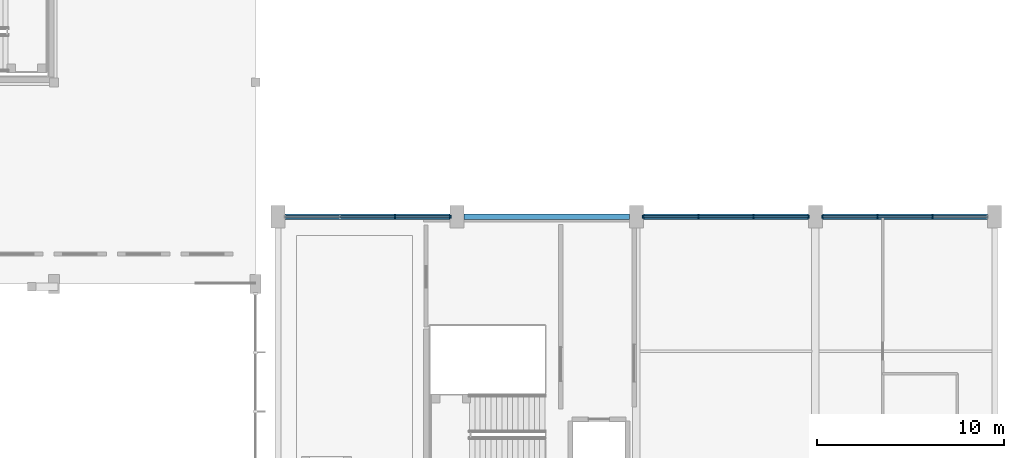
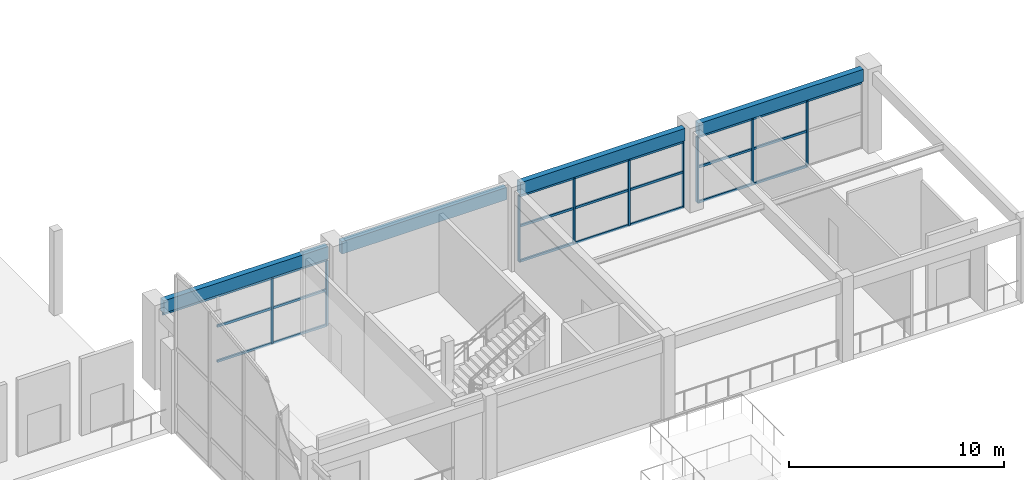
# One storey, part 36 of 74: 26 members, 4 beams, 3 elements without a shape of their own.
"""IFC4 building model written with IfcOpenShell, lengths in metres."""

from ifc_helpers import new_model, si_unit, direction, frame, origin, origin_2d, place, context, subcontext, project, spatial, rectangle, extrude, material, material_profile, profile_set, type_object, element, aggregate, save


model = new_model("IFC4")

# Units and contexts
model_context = context("Model", 3, precision=1e-05, world=origin(), true_north=direction((0.0, 1.0)))
body_context = subcontext(model_context, "Body", "Model", "MODEL_VIEW")
ifc_project = project(units=[si_unit("LENGTHUNIT", "METRE"), si_unit("AREAUNIT", "SQUARE_METRE"), si_unit("VOLUMEUNIT", "CUBIC_METRE"), si_unit("PLANEANGLEUNIT", "RADIAN"), si_unit("MASSUNIT", "GRAM", prefix="KILO")], contexts=[model_context])

# Site, building, storey
site_placement = place(None, origin())
site = spatial("IfcSite", under=ifc_project, at=site_placement, CompositionType="ELEMENT")
building_placement = place(site_placement, origin())
building = spatial("IfcBuilding", under=site, at=building_placement, Name="Suirenkawa Promenade Aquatics Centre", CompositionType="ELEMENT")
storey_placement = place(building_placement, frame((0.0, 0.0, 4.800048828125)))
storey = spatial("IfcBuildingStorey", under=building, at=storey_placement, Name="L01", CompositionType="ELEMENT", Elevation=4.800048828125)

# Beams
ifc_material_1 = material(Name="Concrete M40", Category="concrete")
ifc_material_profile_1 = material_profile(ifc_material_1, rectangle(XDim=0.300048828125, YDim=0.699951171875, at=origin_2d()), Name="RC SPANDREL 300x700", Category="concrete")
ifc_profile_set_1 = profile_set([ifc_material_profile_1], Name="Concrete M40")
beam_type = type_object("IfcBeamType", Name="BT-SPANDREL-300x700", PredefinedType="SPANDREL", material=ifc_profile_set_1)
for number, where, z_axis, x_axis, name in (
    (1, (156.368896484375, 100.800048828125, 4.199951171875), (1.0, 0.0, 0.0), (0.0, 1.0, 0.0), "Floor beam SP-01 BM-1411"),
    (2, (165.968994140625, 100.800048828125, 4.199951171875), (1.0, 0.0, 0.0), (0.0, 1.0, 0.0), "Floor beam SP-01 BM-1412"),
):
    element("IfcBeam", number, at=place(storey_placement, frame(where, z_axis=z_axis, x_axis=x_axis)), inside=storey, type_object=beam_type, Name=name, PredefinedType="SPANDREL", context=body_context, shape_type="SweptSolid", body=[
        extrude(rectangle(XDim=0.300048828125, YDim=0.699951171875, at=origin_2d()), origin(), (0.0, 0.0, 1.0), 8.862060546875),
    ])
beam_1_placement = place(storey_placement, frame((175.569091796875, 100.800048828125, 4.199951171875), z_axis=(1.0, 0.0, 0.0), x_axis=(0.0, 1.0, 0.0)))
element("IfcBeam", 3, at=beam_1_placement, inside=storey, type_object=beam_type, Name="Floor beam SP-01 BM-1413", PredefinedType="SPANDREL", context=body_context, shape_type="SweptSolid", body=[
    extrude(rectangle(XDim=0.300048828125, YDim=0.699951171875, at=origin_2d()), origin(), (0.0, 0.0, 1.0), 8.86181640625),
])
beam_2_placement = place(storey_placement, frame((185.1689453125, 100.800048828125, 4.199951171875), z_axis=(1.0, 0.0, 0.0), x_axis=(0.0, 1.0, 0.0)))
element("IfcBeam", 4, at=beam_2_placement, inside=storey, type_object=beam_type, Name="Floor beam SP-01 BM-1414", PredefinedType="SPANDREL", context=body_context, shape_type="SweptSolid", body=[
    extrude(rectangle(XDim=0.300048828125, YDim=0.699951171875, at=origin_2d()), origin(), (0.0, 0.0, 1.0), 8.862060546875),
])

# Curtain wall, members
ifc_material_2 = material(Name="Anodised aluminium 6063-T6", Category="aluminium")
curtain_wall_type = type_object("IfcCurtainWallType", Name="CWAT-V2GL01-18", PredefinedType="NOTDEFINED", material=ifc_material_2)
curtain_wall_1_placement = place(storey_placement, origin())
curtain_wall_1 = element("IfcCurtainWall", 5, at=curtain_wall_1_placement, inside=storey, type_object=curtain_wall_type, Name="Curtain wall CWA-18 CW-037", PredefinedType="NOTDEFINED")
ifc_material_profile_2 = material_profile(ifc_material_2, rectangle(XDim=0.090087890625, YDim=0.159912109375, at=origin_2d()), Name="ALU MULL 90x160", Category="aluminium")
ifc_profile_set_2 = profile_set([ifc_material_profile_2], Name="Anodised aluminium 6063-T6")
member_type_1 = type_object("IfcMemberType", Name="CWM-160x90", PredefinedType="MULLION", material=ifc_profile_set_2)
member_1_placement = place(storey_placement, frame((162.275390625, 100.800048828125, 0.0), z_axis=(0.0, 0.0, 1.0), x_axis=(1.0, 0.0, 0.0)))
member_1 = element("IfcMember", 6, at=member_1_placement, type_object=member_type_1, Name="Mullion ML-03 CWM-00763", PredefinedType="MULLION", context=body_context, shape_type="SweptSolid", body=[
    extrude(rectangle(XDim=0.090087890625, YDim=0.159912109375, at=origin_2d()), origin(), (0.0, 0.0, 1.0), 3.719970703125),
])
member_2_placement = place(storey_placement, frame((165.22607421875, 100.800048828125, 0.0), z_axis=(0.0, 0.0, 1.0), x_axis=(1.0, 0.0, 0.0)))
member_2 = element("IfcMember", 7, at=member_2_placement, type_object=member_type_1, Name="Mullion ML-03 CWM-00764", PredefinedType="MULLION", context=body_context, shape_type="SweptSolid", body=[
    extrude(rectangle(XDim=0.090087890625, YDim=0.159912109375, at=origin_2d()), origin(), (0.0, 0.0, 1.0), 3.719970703125),
])

curtain_wall_2_placement = place(storey_placement, origin())
curtain_wall_2 = element("IfcCurtainWall", 8, at=curtain_wall_2_placement, inside=storey, type_object=curtain_wall_type, Name="Curtain wall CWA-18 CW-043", PredefinedType="NOTDEFINED")
member_3_placement = place(storey_placement, frame((175.573974609375, 100.800048828125, 0.0), z_axis=(0.0, 0.0, 1.0), x_axis=(1.0, 0.0, 0.0)))
member_3 = element("IfcMember", 9, at=member_3_placement, type_object=member_type_1, Name="Mullion ML-03 CWM-00883", PredefinedType="MULLION", context=body_context, shape_type="SweptSolid", body=[
    extrude(rectangle(XDim=0.090087890625, YDim=0.159912109375, at=origin_2d()), origin(), (0.0, 0.0, 1.0), 3.719970703125),
])
member_4_placement = place(storey_placement, frame((178.524658203125, 100.800048828125, 0.0), z_axis=(0.0, 0.0, 1.0), x_axis=(1.0, 0.0, 0.0)))
member_4 = element("IfcMember", 10, at=member_4_placement, type_object=member_type_1, Name="Mullion ML-03 CWM-00884", PredefinedType="MULLION", context=body_context, shape_type="SweptSolid", body=[
    extrude(rectangle(XDim=0.090087890625, YDim=0.159912109375, at=origin_2d()), origin(), (0.0, 0.0, 1.0), 3.719970703125),
])
member_5_placement = place(storey_placement, frame((181.475341796875, 100.800048828125, 0.0), z_axis=(0.0, 0.0, 1.0), x_axis=(1.0, 0.0, 0.0)))
member_5 = element("IfcMember", 11, at=member_5_placement, type_object=member_type_1, Name="Mullion ML-03 CWM-00885", PredefinedType="MULLION", context=body_context, shape_type="SweptSolid", body=[
    extrude(rectangle(XDim=0.090087890625, YDim=0.159912109375, at=origin_2d()), origin(), (0.0, 0.0, 1.0), 3.719970703125),
])
member_6_placement = place(storey_placement, frame((184.426025390625, 100.800048828125, 0.0), z_axis=(0.0, 0.0, 1.0), x_axis=(1.0, 0.0, 0.0)))
member_6 = element("IfcMember", 12, at=member_6_placement, type_object=member_type_1, Name="Mullion ML-03 CWM-00886", PredefinedType="MULLION", context=body_context, shape_type="SweptSolid", body=[
    extrude(rectangle(XDim=0.090087890625, YDim=0.159912109375, at=origin_2d()), origin(), (0.0, 0.0, 1.0), 3.719970703125),
])

curtain_wall_3_placement = place(storey_placement, origin())
curtain_wall_3 = element("IfcCurtainWall", 13, at=curtain_wall_3_placement, inside=storey, type_object=curtain_wall_type, Name="Curtain wall CWA-18 CW-046", PredefinedType="NOTDEFINED")
member_7_placement = place(storey_placement, frame((185.174072265625, 100.800048828125, 0.0), z_axis=(0.0, 0.0, 1.0), x_axis=(1.0, 0.0, 0.0)))
member_7 = element("IfcMember", 14, at=member_7_placement, type_object=member_type_1, Name="Mullion ML-03 CWM-00939", PredefinedType="MULLION", context=body_context, shape_type="SweptSolid", body=[
    extrude(rectangle(XDim=0.090087890625, YDim=0.159912109375, at=origin_2d()), origin(), (0.0, 0.0, 1.0), 3.719970703125),
])
member_8_placement = place(storey_placement, frame((188.124755859375, 100.800048828125, 0.0), z_axis=(0.0, 0.0, 1.0), x_axis=(1.0, 0.0, 0.0)))
member_8 = element("IfcMember", 15, at=member_8_placement, type_object=member_type_1, Name="Mullion ML-03 CWM-00940", PredefinedType="MULLION", context=body_context, shape_type="SweptSolid", body=[
    extrude(rectangle(XDim=0.090087890625, YDim=0.159912109375, at=origin_2d()), origin(), (0.0, 0.0, 1.0), 3.719970703125),
])
member_9_placement = place(storey_placement, frame((191.075439453125, 100.800048828125, 0.0), z_axis=(0.0, 0.0, 1.0), x_axis=(1.0, 0.0, 0.0)))
member_9 = element("IfcMember", 16, at=member_9_placement, type_object=member_type_1, Name="Mullion ML-03 CWM-00941", PredefinedType="MULLION", context=body_context, shape_type="SweptSolid", body=[
    extrude(rectangle(XDim=0.090087890625, YDim=0.159912109375, at=origin_2d()), origin(), (0.0, 0.0, 1.0), 3.719970703125),
])

# Member
ifc_material_profile_3 = material_profile(ifc_material_2, rectangle(XDim=0.090087890625, YDim=0.1298828125, at=origin_2d()), Name="ALU TRAN 90x130", Category="aluminium")
ifc_profile_set_3 = profile_set([ifc_material_profile_3], Name="Anodised aluminium 6063-T6")
member_type_2 = type_object("IfcMemberType", Name="CWT-130x90", PredefinedType="USERDEFINED", material=ifc_profile_set_3)
member_10_placement = place(storey_placement, frame((159.32470703125, 100.800048828125, 0.0), z_axis=(1.0, 0.0, 0.0), x_axis=(0.0, 1.0, 0.0)))
member_10 = element("IfcMember", 17, at=member_10_placement, type_object=member_type_2, Name="Transom TR-03 CWT-00766", ObjectType="TRANSOM", PredefinedType="USERDEFINED", context=body_context, shape_type="SweptSolid", body=[
    extrude(rectangle(XDim=0.090087890625, YDim=0.1298828125, at=origin_2d()), origin(), (0.0, 0.0, 1.0), 2.95068359375),
])

member_11_placement = place(storey_placement, frame((162.275390625, 100.800048828125, 0.0), z_axis=(1.0, 0.0, 0.0), x_axis=(0.0, 1.0, 0.0)))
member_11 = element("IfcMember", 18, at=member_11_placement, type_object=member_type_2, Name="Transom TR-03 CWT-00767", ObjectType="TRANSOM", PredefinedType="USERDEFINED", context=body_context, shape_type="SweptSolid", body=[
    extrude(rectangle(XDim=0.090087890625, YDim=0.1298828125, at=origin_2d()), origin(), (0.0, 0.0, 1.0), 2.95068359375),
])

member_12_placement = place(storey_placement, frame((159.32470703125, 100.800048828125, 2.0), z_axis=(1.0, 0.0, 0.0), x_axis=(0.0, 1.0, 0.0)))
member_12 = element("IfcMember", 19, at=member_12_placement, type_object=member_type_2, Name="Transom TR-03 CWT-00769", ObjectType="TRANSOM", PredefinedType="USERDEFINED", context=body_context, shape_type="SweptSolid", body=[
    extrude(rectangle(XDim=0.090087890625, YDim=0.1298828125, at=origin_2d()), origin(), (0.0, 0.0, 1.0), 2.95068359375),
])

member_13_placement = place(storey_placement, frame((162.275390625, 100.800048828125, 2.0), z_axis=(1.0, 0.0, 0.0), x_axis=(0.0, 1.0, 0.0)))
member_13 = element("IfcMember", 20, at=member_13_placement, type_object=member_type_2, Name="Transom TR-03 CWT-00770", ObjectType="TRANSOM", PredefinedType="USERDEFINED", context=body_context, shape_type="SweptSolid", body=[
    extrude(rectangle(XDim=0.090087890625, YDim=0.1298828125, at=origin_2d()), origin(), (0.0, 0.0, 1.0), 2.95068359375),
])

member_14_placement = place(storey_placement, frame((156.3740234375, 100.800048828125, 3.719970703125), z_axis=(1.0, 0.0, 0.0), x_axis=(0.0, 1.0, 0.0)))
member_14 = element("IfcMember", 21, at=member_14_placement, type_object=member_type_2, Name="Roofline transom TR-03 CWT-00771", ObjectType="TRANSOM", PredefinedType="USERDEFINED", context=body_context, shape_type="SweptSolid", body=[
    extrude(rectangle(XDim=0.090087890625, YDim=0.1298828125, at=origin_2d()), origin(), (0.0, 0.0, 1.0), 8.85205078125),
])

aggregate(curtain_wall_1, [member_1, member_2, member_10, member_11, member_12, member_13, member_14])

member_15_placement = place(storey_placement, frame((175.573974609375, 100.800048828125, 0.0), z_axis=(1.0, 0.0, 0.0), x_axis=(0.0, 1.0, 0.0)))
member_15 = element("IfcMember", 22, at=member_15_placement, type_object=member_type_2, Name="Transom TR-03 CWT-00887", ObjectType="TRANSOM", PredefinedType="USERDEFINED", context=body_context, shape_type="SweptSolid", body=[
    extrude(rectangle(XDim=0.090087890625, YDim=0.1298828125, at=origin_2d()), origin(), (0.0, 0.0, 1.0), 2.95068359375),
])

member_16_placement = place(storey_placement, frame((178.524658203125, 100.800048828125, 0.0), z_axis=(1.0, 0.0, 0.0), x_axis=(0.0, 1.0, 0.0)))
member_16 = element("IfcMember", 23, at=member_16_placement, type_object=member_type_2, Name="Transom TR-03 CWT-00888", ObjectType="TRANSOM", PredefinedType="USERDEFINED", context=body_context, shape_type="SweptSolid", body=[
    extrude(rectangle(XDim=0.090087890625, YDim=0.1298828125, at=origin_2d()), origin(), (0.0, 0.0, 1.0), 2.95068359375),
])

member_17_placement = place(storey_placement, frame((181.475341796875, 100.800048828125, 0.0), z_axis=(1.0, 0.0, 0.0), x_axis=(0.0, 1.0, 0.0)))
member_17 = element("IfcMember", 24, at=member_17_placement, type_object=member_type_2, Name="Transom TR-03 CWT-00889", ObjectType="TRANSOM", PredefinedType="USERDEFINED", context=body_context, shape_type="SweptSolid", body=[
    extrude(rectangle(XDim=0.090087890625, YDim=0.1298828125, at=origin_2d()), origin(), (0.0, 0.0, 1.0), 2.95068359375),
])

member_18_placement = place(storey_placement, frame((175.573974609375, 100.800048828125, 2.0), z_axis=(1.0, 0.0, 0.0), x_axis=(0.0, 1.0, 0.0)))
member_18 = element("IfcMember", 25, at=member_18_placement, type_object=member_type_2, Name="Transom TR-03 CWT-00890", ObjectType="TRANSOM", PredefinedType="USERDEFINED", context=body_context, shape_type="SweptSolid", body=[
    extrude(rectangle(XDim=0.090087890625, YDim=0.1298828125, at=origin_2d()), origin(), (0.0, 0.0, 1.0), 2.95068359375),
])

member_19_placement = place(storey_placement, frame((178.524658203125, 100.800048828125, 2.0), z_axis=(1.0, 0.0, 0.0), x_axis=(0.0, 1.0, 0.0)))
member_19 = element("IfcMember", 26, at=member_19_placement, type_object=member_type_2, Name="Transom TR-03 CWT-00891", ObjectType="TRANSOM", PredefinedType="USERDEFINED", context=body_context, shape_type="SweptSolid", body=[
    extrude(rectangle(XDim=0.090087890625, YDim=0.1298828125, at=origin_2d()), origin(), (0.0, 0.0, 1.0), 2.95068359375),
])

member_20_placement = place(storey_placement, frame((181.475341796875, 100.800048828125, 2.0), z_axis=(1.0, 0.0, 0.0), x_axis=(0.0, 1.0, 0.0)))
member_20 = element("IfcMember", 27, at=member_20_placement, type_object=member_type_2, Name="Transom TR-03 CWT-00892", ObjectType="TRANSOM", PredefinedType="USERDEFINED", context=body_context, shape_type="SweptSolid", body=[
    extrude(rectangle(XDim=0.090087890625, YDim=0.1298828125, at=origin_2d()), origin(), (0.0, 0.0, 1.0), 2.95068359375),
])

member_21_placement = place(storey_placement, frame((175.573974609375, 100.800048828125, 3.719970703125), z_axis=(1.0, 0.0, 0.0), x_axis=(0.0, 1.0, 0.0)))
member_21 = element("IfcMember", 28, at=member_21_placement, type_object=member_type_2, Name="Roofline transom TR-03 CWT-00893", ObjectType="TRANSOM", PredefinedType="USERDEFINED", context=body_context, shape_type="SweptSolid", body=[
    extrude(rectangle(XDim=0.090087890625, YDim=0.1298828125, at=origin_2d()), origin(), (0.0, 0.0, 1.0), 8.85205078125),
])

aggregate(curtain_wall_2, [member_3, member_4, member_5, member_6, member_15, member_16, member_17, member_18, member_19, member_20, member_21])

member_22_placement = place(storey_placement, frame((185.174072265625, 100.800048828125, 0.0), z_axis=(1.0, 0.0, 0.0), x_axis=(0.0, 1.0, 0.0)))
member_22 = element("IfcMember", 29, at=member_22_placement, type_object=member_type_2, Name="Transom TR-03 CWT-00943", ObjectType="TRANSOM", PredefinedType="USERDEFINED", context=body_context, shape_type="SweptSolid", body=[
    extrude(rectangle(XDim=0.090087890625, YDim=0.1298828125, at=origin_2d()), origin(), (0.0, 0.0, 1.0), 2.95068359375),
])

member_23_placement = place(storey_placement, frame((188.124755859375, 100.800048828125, 0.0), z_axis=(1.0, 0.0, 0.0), x_axis=(0.0, 1.0, 0.0)))
member_23 = element("IfcMember", 30, at=member_23_placement, type_object=member_type_2, Name="Transom TR-03 CWT-00944", ObjectType="TRANSOM", PredefinedType="USERDEFINED", context=body_context, shape_type="SweptSolid", body=[
    extrude(rectangle(XDim=0.090087890625, YDim=0.1298828125, at=origin_2d()), origin(), (0.0, 0.0, 1.0), 2.95068359375),
])

member_24_placement = place(storey_placement, frame((185.174072265625, 100.800048828125, 2.0), z_axis=(1.0, 0.0, 0.0), x_axis=(0.0, 1.0, 0.0)))
member_24 = element("IfcMember", 31, at=member_24_placement, type_object=member_type_2, Name="Transom TR-03 CWT-00946", ObjectType="TRANSOM", PredefinedType="USERDEFINED", context=body_context, shape_type="SweptSolid", body=[
    extrude(rectangle(XDim=0.090087890625, YDim=0.1298828125, at=origin_2d()), origin(), (0.0, 0.0, 1.0), 2.95068359375),
])

member_25_placement = place(storey_placement, frame((188.124755859375, 100.800048828125, 2.0), z_axis=(1.0, 0.0, 0.0), x_axis=(0.0, 1.0, 0.0)))
member_25 = element("IfcMember", 32, at=member_25_placement, type_object=member_type_2, Name="Transom TR-03 CWT-00947", ObjectType="TRANSOM", PredefinedType="USERDEFINED", context=body_context, shape_type="SweptSolid", body=[
    extrude(rectangle(XDim=0.090087890625, YDim=0.1298828125, at=origin_2d()), origin(), (0.0, 0.0, 1.0), 2.95068359375),
])

member_26_placement = place(storey_placement, frame((185.174072265625, 100.800048828125, 3.719970703125), z_axis=(1.0, 0.0, 0.0), x_axis=(0.0, 1.0, 0.0)))
member_26 = element("IfcMember", 33, at=member_26_placement, type_object=member_type_2, Name="Roofline transom TR-03 CWT-00949", ObjectType="TRANSOM", PredefinedType="USERDEFINED", context=body_context, shape_type="SweptSolid", body=[
    extrude(rectangle(XDim=0.090087890625, YDim=0.1298828125, at=origin_2d()), origin(), (0.0, 0.0, 1.0), 8.851806640625),
])

aggregate(curtain_wall_3, [member_7, member_8, member_9, member_22, member_23, member_24, member_25, member_26])

save(model, "model.ifc")
